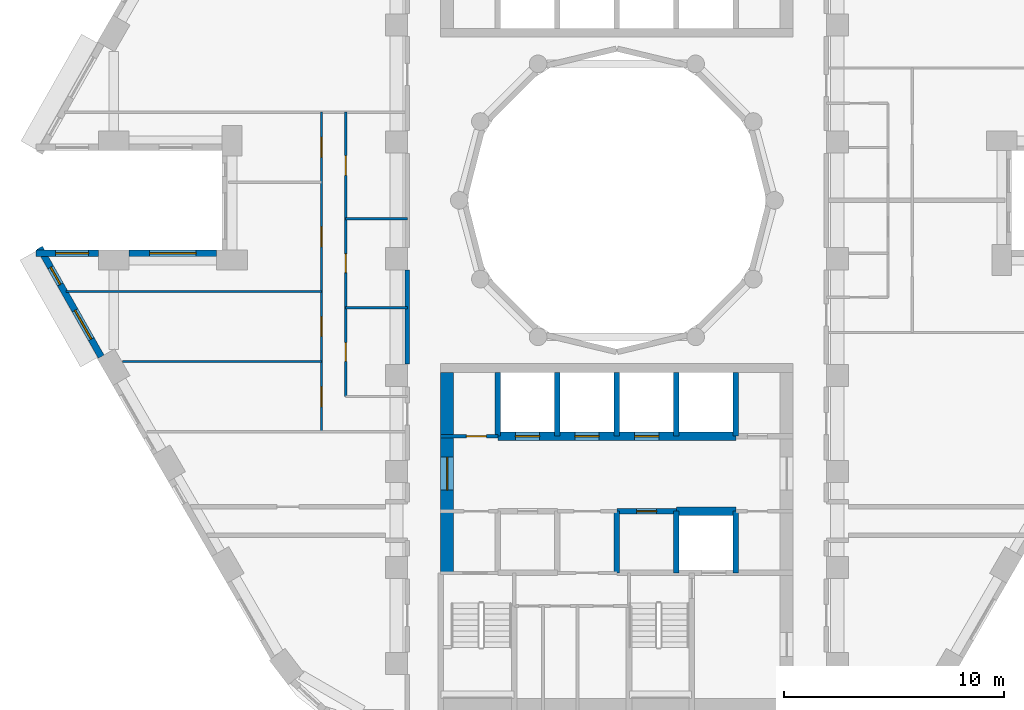
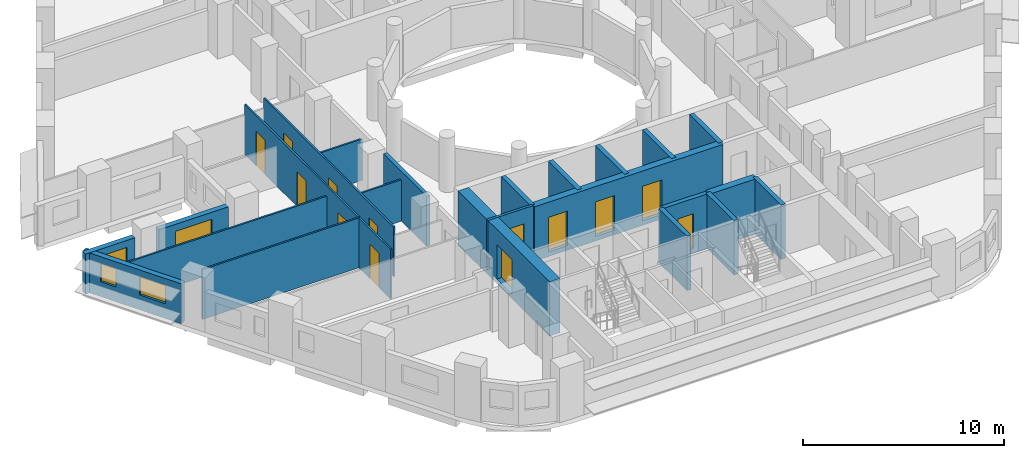
# One storey, part 4 of 12: 23 walls, 13 doors, 4 windows, 17 openings.
"""IFC4 building model written with IfcOpenShell, lengths in metres."""

from ifc_helpers import new_model, si_unit, direction, frame, frame_2d, origin, place, context, subcontext, project, spatial, rectangle, extrude, material, layer, layer_set, type_object, element, fill, save


model = new_model("IFC4")

# Units and contexts
model_context = context("Model", 3, precision=1e-05, world=origin(), true_north=direction((0.0, 1.0)))
body_context = subcontext(model_context, "Body", "Model", "MODEL_VIEW")
ifc_project = project(units=[si_unit("LENGTHUNIT", "METRE"), si_unit("AREAUNIT", "SQUARE_METRE"), si_unit("VOLUMEUNIT", "CUBIC_METRE"), si_unit("PLANEANGLEUNIT", "RADIAN"), si_unit("MASSUNIT", "GRAM", prefix="KILO")], contexts=[model_context])

# Site, building, storey
site_placement = place(None, origin())
site = spatial("IfcSite", under=ifc_project, at=site_placement, CompositionType="ELEMENT")
building_placement = place(site_placement, origin())
building = spatial("IfcBuilding", under=site, at=building_placement, Name="Nakaniwa Court", CompositionType="ELEMENT")
storey_placement = place(building_placement, frame((0.0, 0.0, 90.89990234375)))
storey = spatial("IfcBuildingStorey", under=building, at=storey_placement, Name="L23", CompositionType="ELEMENT", Elevation=90.89990234375)

# Wall
ifc_material_1 = material(Name="Acoustic double stud partition")
ifc_layer_1 = layer(ifc_material_1, 0.199951171875)
ifc_layer_set_1 = layer_set([ifc_layer_1], Name="Acoustic double stud partition")
wall_type_1 = type_object("IfcWallType", Name="Acoustic double stud partition 200", PredefinedType="PARTITIONING", material=ifc_layer_set_1)
wall_1_placement = place(storey_placement, frame((70.5, 72.56689453125, 0.0), z_axis=(0.0, 0.0, 1.0), x_axis=(0.0, 1.0, 0.0)))
element("IfcWall", 1, at=wall_1_placement, inside=storey, type_object=wall_type_1, Name="Partition PW-100", PredefinedType="PARTITIONING", context=body_context, shape_type="SweptSolid", body=[
    extrude(rectangle(XDim=4.26611328125, YDim=0.199951171875, at=frame_2d((2.133056640625, 0.0))), origin(), (0.0, 0.0, 1.0), 3.025146484375),
])

# Wall, opening, window
ifc_material_2 = material(Name="Charcoal ceramic cladding")
ifc_layer_2 = layer(ifc_material_2, 0.02, Name="Ceramic cladding")
ifc_material_3 = material(Name="Ventilated air cavity")
ifc_layer_3 = layer(ifc_material_3, 0.04, ventilated=True, Name="Ventilated cavity")
ifc_material_4 = material(Name="Mineral wool insulation")
ifc_layer_4 = layer(ifc_material_4, 0.1, Name="Insulation")
ifc_material_5 = material(Name="Cement bonded sheathing board")
ifc_layer_5 = layer(ifc_material_5, 0.012, Name="Sheathing")
ifc_material_6 = material(Name="Cold-formed galvanised stud frame with mineral wool infill")
ifc_layer_6 = layer(ifc_material_6, 0.1, Name="Stud frame")
ifc_material_7 = material(Name="Fire-rated gypsum plasterboard lining")
ifc_layer_7 = layer(ifc_material_7, 0.028, Name="Lining")
ifc_layer_set_2 = layer_set([ifc_layer_2, ifc_layer_3, ifc_layer_4, ifc_layer_5, ifc_layer_6, ifc_layer_7], Name="Charcoal ceramic faced external wall system")
wall_type_2 = type_object("IfcWallType", Name="Black ceramic faced external wall 300", PredefinedType="SOLIDWALL", material=ifc_layer_set_2)
wall_2_placement = place(storey_placement, frame((61.845703125, 77.60009765625, 0.0), z_axis=(0.0, 0.0, 1.0), x_axis=(-1.0, 0.0, 0.0)))
wall_2 = element("IfcWall", 2, at=wall_2_placement, inside=storey, type_object=wall_type_2, Name="L23 external wall 18", PredefinedType="SOLIDWALL", context=body_context, shape_type="SweptSolid", body=[
    extrude(rectangle(XDim=3.97265625, YDim=0.300048828125, at=frame_2d((1.986328125, 0.0))), origin(), (0.0, 0.0, 1.0), 2.425048828125),
])
opening_1_placement = place(wall_2_placement, frame((0.936279296875, 0.0, 0.89990234375)))
opening_1 = element("IfcOpeningElement", 3, at=opening_1_placement, cuts=wall_2, Name="Opening W7.21", PredefinedType="OPENING", context=body_context, shape_type="SweptSolid", body=[
    extrude(rectangle(XDim=2.10009765625, YDim=1.10009765625, at=frame_2d((1.050048828125, 0.550048828125))), frame((0.0, 0.159912109375, 0.0), z_axis=(0.0, -1.0, 0.0), x_axis=(1.0, 0.0, 0.0)), (0.0, 0.0, 1.0), 0.320068359375),
])
ifc_material_8 = material(Name="Black anodised aluminium frame with dark low-E laminated double glazing", Category="aluminium")
window_type_1 = type_object("IfcWindowType", Name="Dark glass window 2100x1100 sill 900", PartitioningType="SINGLE_PANEL", PredefinedType="WINDOW", material=ifc_material_8)
window_1_placement = place(opening_1_placement, origin())
window_1 = element("IfcWindow", 4, at=window_1_placement, inside=storey, type_object=window_type_1, Name="L23 living window 18-0", OverallHeight=1.10009765625, OverallWidth=2.10009765625, PartitioningType="SINGLE_PANEL", PredefinedType="WINDOW", context=body_context, shape_type="SweptSolid", body=[
    extrude(rectangle(XDim=2.10009765625, YDim=1.10009765625, at=frame_2d((1.050048828125, 0.550048828125))), frame((0.0, 0.030029296875, 0.0), z_axis=(0.0, -1.0, 0.0), x_axis=(1.0, 0.0, 0.0)), (0.0, 0.0, 1.0), 0.06005859375),
])
fill(opening_1, window_1)

wall_3_placement = place(storey_placement, frame((56.481201171875, 77.60009765625, 0.0), z_axis=(0.0, 0.0, 1.0), x_axis=(-1.0, 0.0, 0.0)))
wall_3 = element("IfcWall", 5, at=wall_3_placement, inside=storey, type_object=wall_type_2, Name="L23 external wall 19", PredefinedType="SOLIDWALL", context=body_context, shape_type="SweptSolid", body=[
    extrude(rectangle(XDim=2.837890625, YDim=0.300048828125, at=frame_2d((1.4189453125, 0.0))), origin(), (0.0, 0.0, 1.0), 2.425048828125),
])
opening_2_placement = place(wall_3_placement, frame((0.44384765625, 0.0, 0.89990234375)))
opening_2 = element("IfcOpeningElement", 6, at=opening_2_placement, cuts=wall_3, Name="Opening W5.22", PredefinedType="OPENING", context=body_context, shape_type="SweptSolid", body=[
    extrude(rectangle(XDim=1.5, YDim=1.10009765625, at=frame_2d((0.75, 0.550048828125))), frame((0.0, 0.159912109375, 0.0), z_axis=(0.0, -1.0, 0.0), x_axis=(1.0, 0.0, 0.0)), (0.0, 0.0, 1.0), 0.320068359375),
])
window_type_2 = type_object("IfcWindowType", Name="Dark glass window 1500x1100 sill 900", PartitioningType="SINGLE_PANEL", PredefinedType="WINDOW", material=ifc_material_8)
window_2_placement = place(opening_2_placement, origin())
window_2 = element("IfcWindow", 7, at=window_2_placement, inside=storey, type_object=window_type_2, Name="L23 living window 19-0", OverallHeight=1.10009765625, OverallWidth=1.5, PartitioningType="SINGLE_PANEL", PredefinedType="WINDOW", context=body_context, shape_type="SweptSolid", body=[
    extrude(rectangle(XDim=1.5, YDim=1.10009765625, at=frame_2d((0.75, 0.550048828125))), frame((0.0, 0.030029296875, 0.0), z_axis=(0.0, -1.0, 0.0), x_axis=(1.0, 0.0, 0.0)), (0.0, 0.0, 1.0), 0.06005859375),
])
fill(opening_2, window_2)

# Wall, openings, windows
wall_4_placement = place(storey_placement, frame((53.81396484375, 77.8466796875, 0.0), z_axis=(0.0, 0.0, 1.0), x_axis=(0.492456858874, -0.870336855561, 0.0)))
wall_4 = element("IfcWall", 8, at=wall_4_placement, inside=storey, type_object=wall_type_2, Name="L23 external wall 20", PredefinedType="SOLIDWALL", context=body_context, shape_type="SweptSolid", body=[
    extrude(rectangle(XDim=5.676513671875, YDim=0.300048828125, at=frame_2d((2.83837890625, 0.0))), origin(), (0.0, 0.0, 1.0), 2.425048828125),
])
opening_3_placement = place(wall_4_placement, frame((1.011962890625, 0.0, 0.89990234375)))
opening_3 = element("IfcOpeningElement", 9, at=opening_3_placement, cuts=wall_4, Name="Opening W9.23", PredefinedType="OPENING", context=body_context, shape_type="SweptSolid", body=[
    extrude(rectangle(XDim=0.89990234375, YDim=1.10009765625, at=frame_2d((0.449951171875, 0.550048828125))), frame((0.0, 0.159912109375, 0.0), z_axis=(0.0, -1.0, 0.0), x_axis=(1.0, 0.0, 0.0)), (0.0, 0.0, 1.0), 0.320068359375),
])
opening_4_placement = place(wall_4_placement, frame((3.261474609375, 0.0, 0.89990234375)))
opening_4 = element("IfcOpeningElement", 10, at=opening_4_placement, cuts=wall_4, Name="Opening W5.24", PredefinedType="OPENING", context=body_context, shape_type="SweptSolid", body=[
    extrude(rectangle(XDim=1.5, YDim=1.10009765625, at=frame_2d((0.75, 0.550048828125))), frame((0.0, 0.159912109375, 0.0), z_axis=(0.0, -1.0, 0.0), x_axis=(1.0, 0.0, 0.0)), (0.0, 0.0, 1.0), 0.320068359375),
])
window_3_placement = place(opening_4_placement, origin())
window_3 = element("IfcWindow", 11, at=window_3_placement, inside=storey, type_object=window_type_2, Name="L23 bedroom window 20-1", OverallHeight=1.10009765625, OverallWidth=1.5, PartitioningType="SINGLE_PANEL", PredefinedType="WINDOW", context=body_context, shape_type="SweptSolid", body=[
    extrude(rectangle(XDim=1.5, YDim=1.10009765625, at=frame_2d((0.75, 0.550048828125))), frame((0.0, 0.030029296875, 0.0), z_axis=(0.0, -1.0, 0.0), x_axis=(1.0, 0.0, 0.0)), (0.0, 0.0, 1.0), 0.06005859375),
])
fill(opening_4, window_3)
window_type_3 = type_object("IfcWindowType", Name="Dark glass window 900x1100 sill 900", PartitioningType="SINGLE_PANEL", PredefinedType="WINDOW", material=ifc_material_8)
window_4_placement = place(opening_3_placement, origin())
window_4 = element("IfcWindow", 12, at=window_4_placement, inside=storey, type_object=window_type_3, Name="L23 living window 20-0", OverallHeight=1.10009765625, OverallWidth=0.89990234375, PartitioningType="SINGLE_PANEL", PredefinedType="WINDOW", context=body_context, shape_type="SweptSolid", body=[
    extrude(rectangle(XDim=0.89990234375, YDim=1.10009765625, at=frame_2d((0.449951171875, 0.550048828125))), frame((0.0, 0.030029296875, 0.0), z_axis=(0.0, -1.0, 0.0), x_axis=(1.0, 0.0, 0.0)), (0.0, 0.0, 1.0), 0.06005859375),
])
fill(opening_3, window_4)

# Wall, opening, door
ifc_material_9 = material(Name="Blockwork partition", Category="masonry")
ifc_layer_8 = layer(ifc_material_9, 0.14990234375)
ifc_layer_set_3 = layer_set([ifc_layer_8], Name="Blockwork partition")
wall_type_3 = type_object("IfcWallType", Name="Blockwork partition 150", PredefinedType="PARTITIONING", material=ifc_layer_set_3)
wall_5_placement = place(storey_placement, frame((72.0, 69.300048828125, 0.0), z_axis=(0.0, 0.0, 1.0), x_axis=(1.0, 0.0, 0.0)))
wall_5 = element("IfcWall", 13, at=wall_5_placement, inside=storey, type_object=wall_type_3, Name="Partition PW-037", PredefinedType="PARTITIONING", context=body_context, shape_type="SweptSolid", body=[
    extrude(rectangle(XDim=2.60009765625, YDim=0.14990234375, at=frame_2d((1.300048828125, 0.0))), origin(), (0.0, 0.0, 1.0), 3.025146484375),
])
opening_5_placement = place(wall_5_placement, frame((1.175048828125, 0.0, 0.0)))
opening_5 = element("IfcOpeningElement", 14, at=opening_5_placement, cuts=wall_5, Name="Opening D-05-09", PredefinedType="OPENING", context=body_context, shape_type="SweptSolid", body=[
    extrude(rectangle(XDim=0.89990234375, YDim=2.10009765625, at=frame_2d((0.449951171875, 1.050048828125))), frame((0.0, 0.0849609375, 0.0), z_axis=(0.0, -1.0, 0.0), x_axis=(1.0, 0.0, 0.0)), (0.0, 0.0, 1.0), 0.169921875),
])
ifc_material_10 = material(Name="Fire rated steel door set", Category="steel")
door_type_1 = type_object("IfcDoorType", Name="Service room door 900", OperationType="NOTDEFINED", PredefinedType="DOOR", material=ifc_material_10)
door_1_placement = place(opening_5_placement, origin())
door_1 = element("IfcDoor", 15, at=door_1_placement, inside=storey, type_object=door_type_1, Name="Door D-05-09 L23-014", OperationType="SINGLE_SWING_LEFT", OverallHeight=2.10009765625, OverallWidth=0.89990234375, PredefinedType="DOOR", context=body_context, shape_type="SweptSolid", body=[
    extrude(rectangle(XDim=0.89990234375, YDim=2.10009765625, at=frame_2d((0.449951171875, 1.050048828125))), frame((0.0, 0.02490234375, 0.0), z_axis=(0.0, -1.0, 0.0), x_axis=(1.0, 0.0, 0.0)), (0.0, 0.0, 1.0), 0.050048828125),
])
fill(opening_5, door_1)

ifc_material_11 = material(Name="Concrete C80/100", Category="concrete")
ifc_layer_9 = layer(ifc_material_11, 0.60009765625)
ifc_layer_set_4 = layer_set([ifc_layer_9], Name="Concrete C80/100")
wall_type_4 = type_object("IfcWallType", Name="Concrete core side wall 600 C80", PredefinedType="SHEAR", material=ifc_layer_set_4)
wall_6_placement = place(storey_placement, frame((72.300048828125, 63.10009765625, -0.27490234375), z_axis=(0.0, 0.0, 1.0), x_axis=(0.0, 1.0, 0.0)))
wall_6 = element("IfcWall", 16, at=wall_6_placement, inside=storey, type_object=wall_type_4, Name="Core wall SW-38", PredefinedType="SHEAR", context=body_context, shape_type="SweptSolid", body=[
    extrude(rectangle(XDim=9.099853515625, YDim=0.60009765625, at=frame_2d((4.5498046875, 0.0))), origin(), (0.0, 0.0, 1.0), 3.300048828125),
])
opening_6_placement = place(wall_6_placement, frame((3.75, 0.0, 0.27490234375)))
opening_6 = element("IfcOpeningElement", 17, at=opening_6_placement, cuts=wall_6, Name="Opening D-07-04", PredefinedType="OPENING", context=body_context, shape_type="SweptSolid", body=[
    extrude(rectangle(XDim=1.5, YDim=2.10009765625, at=frame_2d((0.75, 1.050048828125))), frame((0.0, 0.31005859375, 0.0), z_axis=(0.0, -1.0, 0.0), x_axis=(1.0, 0.0, 0.0)), (0.0, 0.0, 1.0), 0.6201171875),
])
ifc_material_12 = material(Name="Glazed fire rated steel double door set", Category="steel")
door_type_2 = type_object("IfcDoorType", Name="Lobby double door 1500", OperationType="NOTDEFINED", PredefinedType="DOOR", material=ifc_material_12)
door_2_placement = place(opening_6_placement, origin())
door_2 = element("IfcDoor", 18, at=door_2_placement, inside=storey, type_object=door_type_2, Name="Door D-07-04 L23-055", OperationType="DOUBLE_DOOR_SINGLE_SWING", OverallHeight=2.10009765625, OverallWidth=1.5, PredefinedType="DOOR", context=body_context, shape_type="SweptSolid", body=[
    extrude(rectangle(XDim=1.5, YDim=2.10009765625, at=frame_2d((0.75, 1.050048828125))), frame((0.0, 0.02490234375, 0.0), z_axis=(0.0, -1.0, 0.0), x_axis=(1.0, 0.0, 0.0)), (0.0, 0.0, 1.0), 0.050048828125),
])
fill(opening_6, door_2)

# Wall, openings, doors
ifc_layer_10 = layer(ifc_material_11, 0.39990234375)
ifc_layer_set_5 = layer_set([ifc_layer_10], Name="Concrete C80/100")
wall_type_5 = type_object("IfcWallType", Name="Concrete core spine wall 400 C80", PredefinedType="SHEAR", material=ifc_layer_set_5)
wall_7_placement = place(storey_placement, frame((74.60009765625, 69.300048828125, -0.27490234375), z_axis=(0.0, 0.0, 1.0), x_axis=(1.0, 0.0, 0.0)))
wall_7 = element("IfcWall", 19, at=wall_7_placement, inside=storey, type_object=wall_type_5, Name="Core wall SW-41", PredefinedType="SHEAR", context=body_context, shape_type="SweptSolid", body=[
    extrude(rectangle(XDim=10.7998046875, YDim=0.39990234375, at=frame_2d((5.39990234375, 0.0))), origin(), (0.0, 0.0, 1.0), 3.300048828125),
])
opening_7_placement = place(wall_7_placement, frame((0.800048828125, 0.0, 0.27490234375)))
opening_7 = element("IfcOpeningElement", 20, at=opening_7_placement, cuts=wall_7, Name="Opening LD05", PredefinedType="OPENING", context=body_context, shape_type="SweptSolid", body=[
    extrude(rectangle(XDim=1.10009765625, YDim=2.10009765625, at=frame_2d((0.550048828125, 1.050048828125))), frame((0.0, 0.2099609375, 0.0), z_axis=(0.0, -1.0, 0.0), x_axis=(1.0, 0.0, 0.0)), (0.0, 0.0, 1.0), 0.419921875),
])
opening_8_placement = place(wall_7_placement, frame((3.5, 0.0, 0.27490234375)))
opening_8 = element("IfcOpeningElement", 21, at=opening_8_placement, cuts=wall_7, Name="Opening LD06", PredefinedType="OPENING", context=body_context, shape_type="SweptSolid", body=[
    extrude(rectangle(XDim=1.10009765625, YDim=2.10009765625, at=frame_2d((0.550048828125, 1.050048828125))), frame((0.0, 0.2099609375, 0.0), z_axis=(0.0, -1.0, 0.0), x_axis=(1.0, 0.0, 0.0)), (0.0, 0.0, 1.0), 0.419921875),
])
opening_9_placement = place(wall_7_placement, frame((6.199951171875, 0.0, 0.27490234375)))
opening_9 = element("IfcOpeningElement", 22, at=opening_9_placement, cuts=wall_7, Name="Opening LD07", PredefinedType="OPENING", context=body_context, shape_type="SweptSolid", body=[
    extrude(rectangle(XDim=1.10009765625, YDim=2.10009765625, at=frame_2d((0.550048828125, 1.050048828125))), frame((0.0, 0.2099609375, 0.0), z_axis=(0.0, -1.0, 0.0), x_axis=(1.0, 0.0, 0.0)), (0.0, 0.0, 1.0), 0.419921875),
])
ifc_material_13 = material(Name="Stainless steel sliding lift landing door", Category="steel")
door_type_3 = type_object("IfcDoorType", Name="Lift landing door 1100", OperationType="NOTDEFINED", PredefinedType="DOOR", material=ifc_material_13)
door_3_placement = place(opening_7_placement, origin())
door_3 = element("IfcDoor", 23, at=door_3_placement, inside=storey, type_object=door_type_3, Name="Lift landing door LD05 L23-005", OperationType="SLIDING_TO_LEFT", OverallHeight=2.10009765625, OverallWidth=1.10009765625, PredefinedType="DOOR", context=body_context, shape_type="SweptSolid", body=[
    extrude(rectangle(XDim=1.10009765625, YDim=2.10009765625, at=frame_2d((0.550048828125, 1.050048828125))), frame((0.0, 0.02490234375, 0.0), z_axis=(0.0, -1.0, 0.0), x_axis=(1.0, 0.0, 0.0)), (0.0, 0.0, 1.0), 0.050048828125),
])
fill(opening_7, door_3)
door_4_placement = place(opening_8_placement, origin())
door_4 = element("IfcDoor", 24, at=door_4_placement, inside=storey, type_object=door_type_3, Name="Lift landing door LD06 L23-006", OperationType="SLIDING_TO_LEFT", OverallHeight=2.10009765625, OverallWidth=1.10009765625, PredefinedType="DOOR", context=body_context, shape_type="SweptSolid", body=[
    extrude(rectangle(XDim=1.10009765625, YDim=2.10009765625, at=frame_2d((0.550048828125, 1.050048828125))), frame((0.0, 0.02490234375, 0.0), z_axis=(0.0, -1.0, 0.0), x_axis=(1.0, 0.0, 0.0)), (0.0, 0.0, 1.0), 0.050048828125),
])
fill(opening_8, door_4)
door_5_placement = place(opening_9_placement, origin())
door_5 = element("IfcDoor", 25, at=door_5_placement, inside=storey, type_object=door_type_3, Name="Lift landing door LD07 L23-007", OperationType="SLIDING_TO_LEFT", OverallHeight=2.10009765625, OverallWidth=1.10009765625, PredefinedType="DOOR", context=body_context, shape_type="SweptSolid", body=[
    extrude(rectangle(XDim=1.10009765625, YDim=2.10009765625, at=frame_2d((0.550048828125, 1.050048828125))), frame((0.0, 0.02490234375, 0.0), z_axis=(0.0, -1.0, 0.0), x_axis=(1.0, 0.0, 0.0)), (0.0, 0.0, 1.0), 0.050048828125),
])
fill(opening_9, door_5)

# Walls
wall_8_placement = place(storey_placement, frame((82.697021484375, 65.89990234375, -0.27490234375), z_axis=(0.0, 0.0, 1.0), x_axis=(1.0, 0.0, 0.0)))
element("IfcWall", 26, at=wall_8_placement, inside=storey, type_object=wall_type_5, Name="Core wall SW-55", PredefinedType="SHEAR", context=body_context, shape_type="SweptSolid", body=[
    extrude(rectangle(XDim=2.7060546875, YDim=0.39990234375, at=frame_2d((1.35302734375, 0.0))), origin(), (0.0, 0.0, 1.0), 3.300048828125),
])
ifc_layer_11 = layer(ifc_material_11, 0.25)
ifc_layer_set_6 = layer_set([ifc_layer_11], Name="Concrete C80/100")
wall_type_6 = type_object("IfcWallType", Name="Concrete shaft wall 250 C80", PredefinedType="SHEAR", material=ifc_layer_set_6)
for number, where, z_axis, x_axis, name in (
    (27, (74.60009765625, 69.300048828125, -0.27490234375), (0.0, 0.0, 1.0), (0.0, 1.0, 0.0), "Core wall SW-36"),
    (28, (77.300048828125, 69.300048828125, -0.27490234375), (0.0, 0.0, 1.0), (0.0, 1.0, 0.0), "Core wall SW-40"),
):
    element("IfcWall", number, at=place(storey_placement, frame(where, z_axis=z_axis, x_axis=x_axis)), inside=storey, type_object=wall_type_6, Name=name, PredefinedType="SHEAR", context=body_context, shape_type="SweptSolid", body=[
        extrude(rectangle(XDim=2.89990234375, YDim=0.25, at=frame_2d((1.449951171875, 0.0))), origin(), (0.0, 0.0, 1.0), 3.300048828125),
    ])
wall_9_placement = place(storey_placement, frame((80.0, 63.10009765625, -0.27490234375), z_axis=(0.0, 0.0, 1.0), x_axis=(0.0, 1.0, 0.0)))
element("IfcWall", 29, at=wall_9_placement, inside=storey, type_object=wall_type_6, Name="Core wall SW-42", PredefinedType="SHEAR", context=body_context, shape_type="SweptSolid", body=[
    extrude(rectangle(XDim=2.7998046875, YDim=0.25, at=frame_2d((1.39990234375, 0.0))), origin(), (0.0, 0.0, 1.0), 3.300048828125),
])
wall_10_placement = place(storey_placement, frame((80.0, 69.300048828125, -0.27490234375), z_axis=(0.0, 0.0, 1.0), x_axis=(0.0, 1.0, 0.0)))
element("IfcWall", 30, at=wall_10_placement, inside=storey, type_object=wall_type_6, Name="Core wall SW-43", PredefinedType="SHEAR", context=body_context, shape_type="SweptSolid", body=[
    extrude(rectangle(XDim=2.89990234375, YDim=0.25, at=frame_2d((1.449951171875, 0.0))), origin(), (0.0, 0.0, 1.0), 3.300048828125),
])
wall_11_placement = place(storey_placement, frame((82.699951171875, 63.10009765625, -0.27490234375), z_axis=(0.0, 0.0, 1.0), x_axis=(0.0, 1.0, 0.0)))
element("IfcWall", 31, at=wall_11_placement, inside=storey, type_object=wall_type_6, Name="Core wall SW-44", PredefinedType="SHEAR", context=body_context, shape_type="SweptSolid", body=[
    extrude(rectangle(XDim=2.7998046875, YDim=0.25, at=frame_2d((1.39990234375, 0.0))), origin(), (0.0, 0.0, 1.0), 3.300048828125),
])
wall_12_placement = place(storey_placement, frame((82.699951171875, 69.300048828125, -0.27490234375), z_axis=(0.0, 0.0, 1.0), x_axis=(0.0, 1.0, 0.0)))
element("IfcWall", 32, at=wall_12_placement, inside=storey, type_object=wall_type_6, Name="Core wall SW-45", PredefinedType="SHEAR", context=body_context, shape_type="SweptSolid", body=[
    extrude(rectangle(XDim=2.89990234375, YDim=0.25, at=frame_2d((1.449951171875, 0.0))), origin(), (0.0, 0.0, 1.0), 3.300048828125),
])
wall_13_placement = place(storey_placement, frame((85.39990234375, 63.10009765625, -0.27490234375), z_axis=(0.0, 0.0, 1.0), x_axis=(0.0, 1.0, 0.0)))
element("IfcWall", 33, at=wall_13_placement, inside=storey, type_object=wall_type_6, Name="Core wall SW-46", PredefinedType="SHEAR", context=body_context, shape_type="SweptSolid", body=[
    extrude(rectangle(XDim=2.7998046875, YDim=0.25, at=frame_2d((1.39990234375, 0.0))), origin(), (0.0, 0.0, 1.0), 3.300048828125),
])
wall_14_placement = place(storey_placement, frame((85.39990234375, 69.300048828125, -0.27490234375), z_axis=(0.0, 0.0, 1.0), x_axis=(0.0, 1.0, 0.0)))
element("IfcWall", 34, at=wall_14_placement, inside=storey, type_object=wall_type_6, Name="Core wall SW-47", PredefinedType="SHEAR", context=body_context, shape_type="SweptSolid", body=[
    extrude(rectangle(XDim=2.89990234375, YDim=0.25, at=frame_2d((1.449951171875, 0.0))), origin(), (0.0, 0.0, 1.0), 3.300048828125),
])

# Wall, opening, door
wall_15_placement = place(storey_placement, frame((82.702880859375, 65.89990234375, -0.27490234375), z_axis=(0.0, 0.0, 1.0), x_axis=(-1.0, 0.0, 0.0)))
wall_15 = element("IfcWall", 35, at=wall_15_placement, inside=storey, type_object=wall_type_6, Name="Core wall SW-54", PredefinedType="SHEAR", context=body_context, shape_type="SweptSolid", body=[
    extrude(rectangle(XDim=2.705810546875, YDim=0.25, at=frame_2d((1.35302734375, 0.0))), origin(), (0.0, 0.0, 1.0), 3.300048828125),
])
opening_10_placement = place(wall_15_placement, frame((0.903076171875, 0.0, 0.27490234375)))
opening_10 = element("IfcOpeningElement", 36, at=opening_10_placement, cuts=wall_15, Name="Opening D-05-12", PredefinedType="OPENING", context=body_context, shape_type="SweptSolid", body=[
    extrude(rectangle(XDim=0.89990234375, YDim=2.10009765625, at=frame_2d((0.449951171875, 1.050048828125))), frame((0.0, 0.135009765625, 0.0), z_axis=(0.0, -1.0, 0.0), x_axis=(1.0, 0.0, 0.0)), (0.0, 0.0, 1.0), 0.27001953125),
])
door_6_placement = place(opening_10_placement, origin())
door_6 = element("IfcDoor", 37, at=door_6_placement, inside=storey, type_object=door_type_1, Name="Door D-05-12 L23-019", OperationType="SINGLE_SWING_RIGHT", OverallHeight=2.10009765625, OverallWidth=0.89990234375, PredefinedType="DOOR", context=body_context, shape_type="SweptSolid", body=[
    extrude(rectangle(XDim=0.89990234375, YDim=2.10009765625, at=frame_2d((0.449951171875, 1.050048828125))), frame((0.0, 0.02490234375, 0.0), z_axis=(0.0, -1.0, 0.0), x_axis=(1.0, 0.0, 0.0)), (0.0, 0.0, 1.0), 0.050048828125),
])
fill(opening_10, door_6)

# Wall
ifc_material_14 = material(Name="Single stud plasterboard partition")
ifc_layer_12 = layer(ifc_material_14, 0.10009765625)
ifc_layer_set_7 = layer_set([ifc_layer_12], Name="Single stud plasterboard partition")
wall_type_7 = type_object("IfcWallType", Name="Single stud plasterboard partition 100", PredefinedType="PARTITIONING", material=ifc_layer_set_7)
wall_16_placement = place(storey_placement, frame((67.699951171875, 75.131103515625, 0.0), z_axis=(0.0, 0.0, 1.0), x_axis=(1.0, 0.0, 0.0)))
element("IfcWall", 38, at=wall_16_placement, inside=storey, type_object=wall_type_7, Name="Partition PW-116", PredefinedType="PARTITIONING", context=body_context, shape_type="SweptSolid", body=[
    extrude(rectangle(XDim=2.800048828125, YDim=0.10009765625, at=frame_2d((1.39990234375, 0.0))), origin(), (0.0, 0.0, 1.0), 2.505126953125),
])

# Wall, openings, doors
wall_17_placement = place(storey_placement, frame((67.699951171875, 84.0, 0.0), z_axis=(0.0, 0.0, 1.0), x_axis=(0.0, -1.0, 0.0)))
wall_17 = element("IfcWall", 39, at=wall_17_placement, inside=storey, type_object=wall_type_7, Name="Partition PW-118", PredefinedType="PARTITIONING", context=body_context, shape_type="SweptSolid", body=[
    extrude(rectangle(XDim=12.89990234375, YDim=0.10009765625, at=frame_2d((6.449951171875, 0.0))), origin(), (0.0, 0.0, 1.0), 3.025146484375),
])
opening_11_placement = place(wall_17_placement, frame((10.458984375, 0.0, 0.0)))
opening_11 = element("IfcOpeningElement", 40, at=opening_11_placement, cuts=wall_17, Name="Opening D-03-03", PredefinedType="OPENING", context=body_context, shape_type="SweptSolid", body=[
    extrude(rectangle(XDim=0.85009765625, YDim=2.10009765625, at=frame_2d((0.425048828125, 1.050048828125))), frame((0.0, 0.06005859375, 0.0), z_axis=(0.0, -1.0, 0.0), x_axis=(1.0, 0.0, 0.0)), (0.0, 0.0, 1.0), 0.1201171875),
])
opening_12_placement = place(wall_17_placement, frame((6.427978515625, 0.0, 0.0)))
opening_12 = element("IfcOpeningElement", 41, at=opening_12_placement, cuts=wall_17, Name="Opening D-03-04", PredefinedType="OPENING", context=body_context, shape_type="SweptSolid", body=[
    extrude(rectangle(XDim=0.85009765625, YDim=2.10009765625, at=frame_2d((0.425048828125, 1.050048828125))), frame((0.0, 0.06005859375, 0.0), z_axis=(0.0, -1.0, 0.0), x_axis=(1.0, 0.0, 0.0)), (0.0, 0.0, 1.0), 0.1201171875),
])
opening_13_placement = place(wall_17_placement, frame((1.968994140625, 0.0, 0.0)))
opening_13 = element("IfcOpeningElement", 42, at=opening_13_placement, cuts=wall_17, Name="Opening D-33-05", PredefinedType="OPENING", context=body_context, shape_type="SweptSolid", body=[
    extrude(rectangle(XDim=0.89990234375, YDim=2.10009765625, at=frame_2d((0.449951171875, 1.050048828125))), frame((0.0, 0.06005859375, 0.0), z_axis=(0.0, -1.0, 0.0), x_axis=(1.0, 0.0, 0.0)), (0.0, 0.0, 1.0), 0.1201171875),
])
ifc_material_15 = material(Name="Moisture sealed timber door set", Category="wood")
door_type_4 = type_object("IfcDoorType", Name="Bathroom door 850", OperationType="NOTDEFINED", PredefinedType="DOOR", material=ifc_material_15)
door_7_placement = place(opening_11_placement, origin())
door_7 = element("IfcDoor", 43, at=door_7_placement, inside=storey, type_object=door_type_4, Name="Door D-03-03 L23-040", OperationType="SINGLE_SWING_LEFT", OverallHeight=2.10009765625, OverallWidth=0.85009765625, PredefinedType="DOOR", context=body_context, shape_type="SweptSolid", body=[
    extrude(rectangle(XDim=0.85009765625, YDim=2.10009765625, at=frame_2d((0.425048828125, 1.050048828125))), frame((0.0, 0.02490234375, 0.0), z_axis=(0.0, -1.0, 0.0), x_axis=(1.0, 0.0, 0.0)), (0.0, 0.0, 1.0), 0.050048828125),
])
fill(opening_11, door_7)
door_8_placement = place(opening_12_placement, origin())
door_8 = element("IfcDoor", 44, at=door_8_placement, inside=storey, type_object=door_type_4, Name="Door D-03-04 L23-041", OperationType="SINGLE_SWING_RIGHT", OverallHeight=2.10009765625, OverallWidth=0.85009765625, PredefinedType="DOOR", context=body_context, shape_type="SweptSolid", body=[
    extrude(rectangle(XDim=0.85009765625, YDim=2.10009765625, at=frame_2d((0.425048828125, 1.050048828125))), frame((0.0, 0.02490234375, 0.0), z_axis=(0.0, -1.0, 0.0), x_axis=(1.0, 0.0, 0.0)), (0.0, 0.0, 1.0), 0.050048828125),
])
fill(opening_12, door_8)
ifc_material_16 = material(Name="Solid core timber door set, black veneer", Category="wood")
door_type_5 = type_object("IfcDoorType", Name="Internal door 900", OperationType="NOTDEFINED", PredefinedType="DOOR", material=ifc_material_16)
door_9_placement = place(opening_13_placement, origin())
door_9 = element("IfcDoor", 45, at=door_9_placement, inside=storey, type_object=door_type_5, Name="Door D-33-05 L23-042", OperationType="SINGLE_SWING_LEFT", OverallHeight=2.10009765625, OverallWidth=0.89990234375, PredefinedType="DOOR", context=body_context, shape_type="SweptSolid", body=[
    extrude(rectangle(XDim=0.89990234375, YDim=2.10009765625, at=frame_2d((0.449951171875, 1.050048828125))), frame((0.0, 0.02490234375, 0.0), z_axis=(0.0, -1.0, 0.0), x_axis=(1.0, 0.0, 0.0)), (0.0, 0.0, 1.0), 0.050048828125),
])
fill(opening_13, door_9)

# Wall
wall_18_placement = place(storey_placement, frame((67.699951171875, 79.162109375, 0.0), z_axis=(0.0, 0.0, 1.0), x_axis=(1.0, 0.0, 0.0)))
element("IfcWall", 46, at=wall_18_placement, inside=storey, type_object=wall_type_7, Name="Partition PW-119", PredefinedType="PARTITIONING", context=body_context, shape_type="SweptSolid", body=[
    extrude(rectangle(XDim=2.800048828125, YDim=0.10009765625, at=frame_2d((1.39990234375, 0.0))), origin(), (0.0, 0.0, 1.0), 2.505126953125),
])

# Wall, openings, doors
wall_19_placement = place(storey_placement, frame((66.60009765625, 69.5, 0.0), z_axis=(0.0, 0.0, 1.0), x_axis=(0.0, 1.0, 0.0)))
wall_19 = element("IfcWall", 47, at=wall_19_placement, inside=storey, type_object=wall_type_7, Name="Partition PW-121", PredefinedType="PARTITIONING", context=body_context, shape_type="SweptSolid", body=[
    extrude(rectangle(XDim=14.5, YDim=0.10009765625, at=frame_2d((7.25, 0.0))), origin(), (0.0, 0.0, 1.0), 3.025146484375),
])
opening_14_placement = place(wall_19_placement, frame((1.14111328125, 0.0, 0.0)))
opening_14 = element("IfcOpeningElement", 48, at=opening_14_placement, cuts=wall_19, Name="Opening D-33-06", PredefinedType="OPENING", context=body_context, shape_type="SweptSolid", body=[
    extrude(rectangle(XDim=0.89990234375, YDim=2.10009765625, at=frame_2d((0.449951171875, 1.050048828125))), frame((0.0, 0.06005859375, 0.0), z_axis=(0.0, -1.0, 0.0), x_axis=(1.0, 0.0, 0.0)), (0.0, 0.0, 1.0), 0.1201171875),
])
opening_15_placement = place(wall_19_placement, frame((4.323974609375, 0.0, 0.0)))
opening_15 = element("IfcOpeningElement", 49, at=opening_15_placement, cuts=wall_19, Name="Opening D-33-07", PredefinedType="OPENING", context=body_context, shape_type="SweptSolid", body=[
    extrude(rectangle(XDim=0.89990234375, YDim=2.10009765625, at=frame_2d((0.449951171875, 1.050048828125))), frame((0.0, 0.06005859375, 0.0), z_axis=(0.0, -1.0, 0.0), x_axis=(1.0, 0.0, 0.0)), (0.0, 0.0, 1.0), 0.1201171875),
])
opening_16_placement = place(wall_19_placement, frame((8.39111328125, 0.0, 0.0)))
opening_16 = element("IfcOpeningElement", 50, at=opening_16_placement, cuts=wall_19, Name="Opening D-33-08", PredefinedType="OPENING", context=body_context, shape_type="SweptSolid", body=[
    extrude(rectangle(XDim=0.89990234375, YDim=2.10009765625, at=frame_2d((0.449951171875, 1.050048828125))), frame((0.0, 0.06005859375, 0.0), z_axis=(0.0, -1.0, 0.0), x_axis=(1.0, 0.0, 0.0)), (0.0, 0.0, 1.0), 0.1201171875),
])
opening_17_placement = place(wall_19_placement, frame((12.458984375, 0.0, 0.0)))
opening_17 = element("IfcOpeningElement", 51, at=opening_17_placement, cuts=wall_19, Name="Opening D-33-09", PredefinedType="OPENING", context=body_context, shape_type="SweptSolid", body=[
    extrude(rectangle(XDim=0.89990234375, YDim=2.10009765625, at=frame_2d((0.449951171875, 1.050048828125))), frame((0.0, 0.06005859375, 0.0), z_axis=(0.0, -1.0, 0.0), x_axis=(1.0, 0.0, 0.0)), (0.0, 0.0, 1.0), 0.1201171875),
])
door_10_placement = place(opening_14_placement, origin())
door_10 = element("IfcDoor", 52, at=door_10_placement, inside=storey, type_object=door_type_5, Name="Door D-33-06 L23-043", OperationType="SINGLE_SWING_RIGHT", OverallHeight=2.10009765625, OverallWidth=0.89990234375, PredefinedType="DOOR", context=body_context, shape_type="SweptSolid", body=[
    extrude(rectangle(XDim=0.89990234375, YDim=2.10009765625, at=frame_2d((0.449951171875, 1.050048828125))), frame((0.0, 0.02490234375, 0.0), z_axis=(0.0, -1.0, 0.0), x_axis=(1.0, 0.0, 0.0)), (0.0, 0.0, 1.0), 0.050048828125),
])
fill(opening_14, door_10)
door_11_placement = place(opening_15_placement, origin())
door_11 = element("IfcDoor", 53, at=door_11_placement, inside=storey, type_object=door_type_5, Name="Door D-33-07 L23-044", OperationType="SINGLE_SWING_LEFT", OverallHeight=2.10009765625, OverallWidth=0.89990234375, PredefinedType="DOOR", context=body_context, shape_type="SweptSolid", body=[
    extrude(rectangle(XDim=0.89990234375, YDim=2.10009765625, at=frame_2d((0.449951171875, 1.050048828125))), frame((0.0, 0.02490234375, 0.0), z_axis=(0.0, -1.0, 0.0), x_axis=(1.0, 0.0, 0.0)), (0.0, 0.0, 1.0), 0.050048828125),
])
fill(opening_15, door_11)
door_12_placement = place(opening_16_placement, origin())
door_12 = element("IfcDoor", 54, at=door_12_placement, inside=storey, type_object=door_type_5, Name="Door D-33-08 L23-045", OperationType="SINGLE_SWING_RIGHT", OverallHeight=2.10009765625, OverallWidth=0.89990234375, PredefinedType="DOOR", context=body_context, shape_type="SweptSolid", body=[
    extrude(rectangle(XDim=0.89990234375, YDim=2.10009765625, at=frame_2d((0.449951171875, 1.050048828125))), frame((0.0, 0.02490234375, 0.0), z_axis=(0.0, -1.0, 0.0), x_axis=(1.0, 0.0, 0.0)), (0.0, 0.0, 1.0), 0.050048828125),
])
fill(opening_16, door_12)
door_13_placement = place(opening_17_placement, origin())
door_13 = element("IfcDoor", 55, at=door_13_placement, inside=storey, type_object=door_type_5, Name="Door D-33-09 L23-046", OperationType="SINGLE_SWING_LEFT", OverallHeight=2.10009765625, OverallWidth=0.89990234375, PredefinedType="DOOR", context=body_context, shape_type="SweptSolid", body=[
    extrude(rectangle(XDim=0.89990234375, YDim=2.10009765625, at=frame_2d((0.449951171875, 1.050048828125))), frame((0.0, 0.02490234375, 0.0), z_axis=(0.0, -1.0, 0.0), x_axis=(1.0, 0.0, 0.0)), (0.0, 0.0, 1.0), 0.050048828125),
])
fill(opening_17, door_13)

# Walls
wall_20_placement = place(storey_placement, frame((57.573974609375, 72.68310546875, 0.0), z_axis=(0.0, 0.0, 1.0), x_axis=(1.0, 0.0, 0.0)))
element("IfcWall", 56, at=wall_20_placement, inside=storey, type_object=wall_type_7, Name="Partition PW-123", PredefinedType="PARTITIONING", context=body_context, shape_type="SweptSolid", body=[
    extrude(rectangle(XDim=9.026123046875, YDim=0.10009765625, at=frame_2d((4.51318359375, 0.0))), origin(), (0.0, 0.0, 1.0), 3.025146484375),
])
wall_21_placement = place(storey_placement, frame((55.0205078125, 75.865966796875, 0.0), z_axis=(0.0, 0.0, 1.0), x_axis=(1.0, 0.0, 0.0)))
element("IfcWall", 57, at=wall_21_placement, inside=storey, type_object=wall_type_7, Name="Partition PW-124", PredefinedType="PARTITIONING", context=body_context, shape_type="SweptSolid", body=[
    extrude(rectangle(XDim=11.57958984375, YDim=0.10009765625, at=frame_2d((5.789794921875, 0.0))), origin(), (0.0, 0.0, 1.0), 2.405029296875),
])

save(model, "model.ifc")
